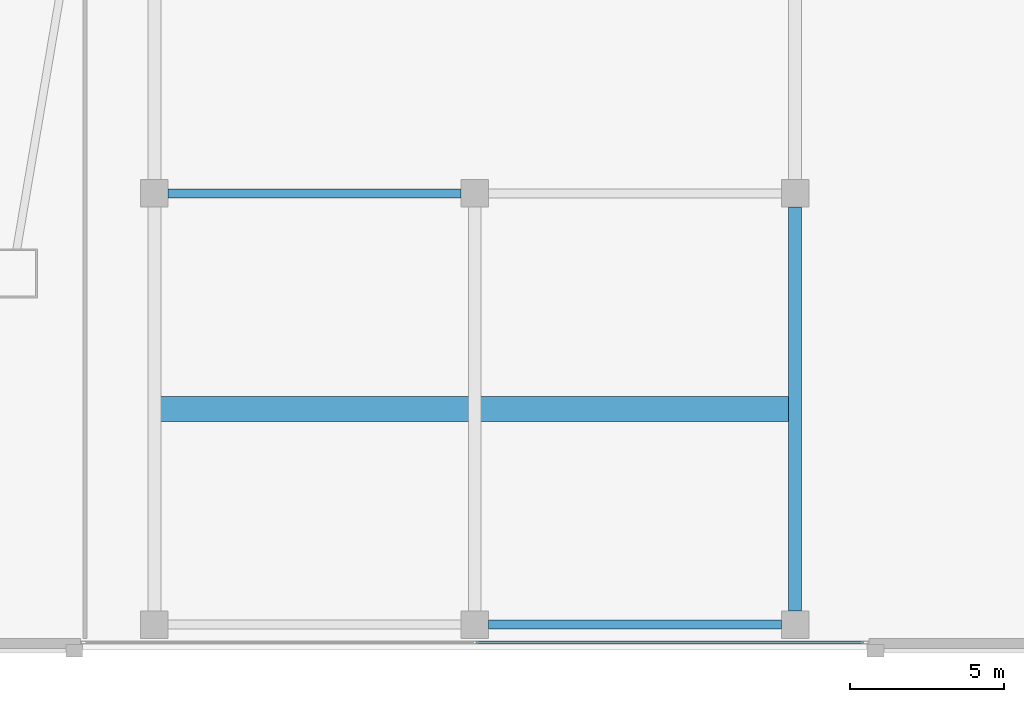
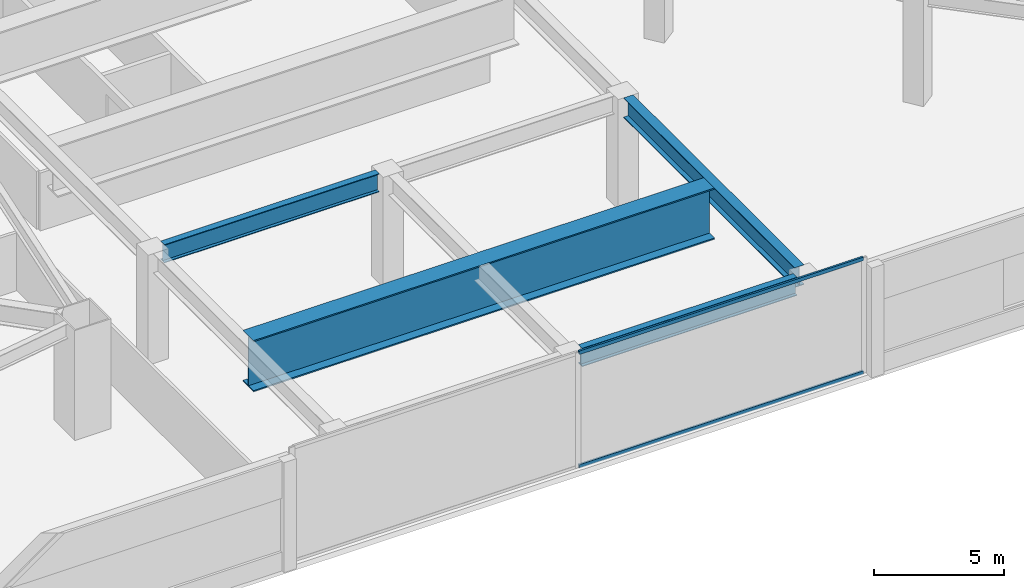
# One storey, part 15 of 48: 4 beams, 2 members, 1 element without a shape of its own.
"""IFC4 building model written with IfcOpenShell, lengths in metres."""

from ifc_helpers import new_model, si_unit, direction, frame, origin, origin_2d, place, context, subcontext, project, spatial, hollow_rectangle, i_section, extrude, material, material_profile, profile_set, type_object, element, aggregate, save


model = new_model("IFC4")

# Units and contexts
model_context = context("Model", 3, precision=1e-05, world=origin(), true_north=direction((0.0, 1.0)))
body_context = subcontext(model_context, "Body", "Model", "MODEL_VIEW")
ifc_project = project(units=[si_unit("LENGTHUNIT", "METRE"), si_unit("AREAUNIT", "SQUARE_METRE"), si_unit("VOLUMEUNIT", "CUBIC_METRE"), si_unit("PLANEANGLEUNIT", "RADIAN"), si_unit("MASSUNIT", "GRAM", prefix="KILO")], contexts=[model_context])

# Site, building, storey
site_placement = place(None, origin())
site = spatial("IfcSite", under=ifc_project, at=site_placement, CompositionType="ELEMENT")
building_placement = place(site_placement, origin())
building = spatial("IfcBuilding", under=site, at=building_placement, Name="Tashvorn Skyway Center", CompositionType="ELEMENT")
storey_placement = place(building_placement, frame((0.0, 0.0, 10.199951171875)))
storey = spatial("IfcBuildingStorey", under=building, at=storey_placement, Name="L02", CompositionType="ELEMENT", Elevation=10.199951171875)

# Beams
ifc_material_1 = material(Name="Steel ASTM A572 Grade 50", Category="steel")
ifc_material_profile_1 = material_profile(ifc_material_1, i_section(OverallWidth=0.800048828125, OverallDepth=2.39990234375, WebThickness=0.035888671875, FlangeThickness=0.06005859375, at=origin_2d()), Name="PG2400x800")
ifc_profile_set_1 = profile_set([ifc_material_profile_1], Name="Steel ASTM A572 Grade 50")
beam_type_1 = type_object("IfcBeamType", Name="BM-BEAM-PG2400x800", PredefinedType="BEAM", material=ifc_profile_set_1)
beam_1_placement = place(storey_placement, frame((66.6015625, 7.800048828125, 3.93994140625), z_axis=(1.0, 0.0, 0.0), x_axis=(0.0, 1.0, 0.0)))
element("IfcBeam", 1, at=beam_1_placement, inside=storey, type_object=beam_type_1, Name="L02 Central Concourse Span Girder 02", PredefinedType="BEAM", context=body_context, shape_type="SweptSolid", body=[
    extrude(i_section(OverallWidth=0.800048828125, OverallDepth=2.39990234375, WebThickness=0.035888671875, FlangeThickness=0.06005859375, at=origin_2d()), origin(), (0.0, 0.0, 1.0), 20.39697265625),
])
ifc_material_2 = material(Name="Steel ASTM A992 Grade 50", Category="steel")
ifc_material_profile_2 = material_profile(ifc_material_2, i_section(OverallWidth=0.2919921875, OverallDepth=0.85888671875, WebThickness=0.01708984375, FlangeThickness=0.031005859375, at=origin_2d()), Name="W33X169")
ifc_profile_set_2 = profile_set([ifc_material_profile_2], Name="Steel ASTM A992 Grade 50")
beam_type_2 = type_object("IfcBeamType", Name="BM-BEAM-W33X169", PredefinedType="BEAM", material=ifc_profile_set_2)
beam_2_placement = place(storey_placement, frame((77.2451171875, 0.800048828125, 4.71044921875), z_axis=(1.0, 0.0, 0.0), x_axis=(0.0, 1.0, 0.0)))
element("IfcBeam", 2, at=beam_2_placement, inside=storey, type_object=beam_type_2, Name="L02 Central Podium Girder B 01", PredefinedType="BEAM", context=body_context, shape_type="SweptSolid", body=[
    extrude(i_section(OverallWidth=0.2919921875, OverallDepth=0.85888671875, WebThickness=0.01708984375, FlangeThickness=0.031005859375, at=origin_2d()), origin(), (0.0, 0.0, 1.0), 9.509765625),
])
beam_3_placement = place(storey_placement, frame((66.844970703125, 14.800048828125, 4.71044921875), z_axis=(1.0, 0.0, 0.0), x_axis=(0.0, 1.0, 0.0)))
element("IfcBeam", 3, at=beam_3_placement, inside=storey, type_object=beam_type_2, Name="L02 Central Podium Girder A 03", PredefinedType="BEAM", context=body_context, shape_type="SweptSolid", body=[
    extrude(i_section(OverallWidth=0.2919921875, OverallDepth=0.85888671875, WebThickness=0.01708984375, FlangeThickness=0.031005859375, at=origin_2d()), origin(), (0.0, 0.0, 1.0), 9.510009765625),
])
ifc_material_3 = material(Name="Steel ASTM A913 Grade 65", Category="steel")
ifc_material_profile_3 = material_profile(ifc_material_3, i_section(OverallWidth=0.4189453125, OverallDepth=0.927001953125, WebThickness=0.019287109375, FlangeThickness=0.031982421875, at=origin_2d()), Name="W36X231")
ifc_profile_set_3 = profile_set([ifc_material_profile_3], Name="Steel ASTM A913 Grade 65")
beam_type_3 = type_object("IfcBeamType", Name="BM-BEAM-W36X231", PredefinedType="BEAM", material=ifc_profile_set_3)
beam_4_placement = place(storey_placement, frame((87.199951171875, 1.2451171875, 4.676513671875), z_axis=(0.0, 1.0, 0.0), x_axis=(-1.0, 0.0, 0.0)))
element("IfcBeam", 4, at=beam_4_placement, inside=storey, type_object=beam_type_3, Name="L02 North-South Podium Girder 05-S", PredefinedType="BEAM", context=body_context, shape_type="SweptSolid", body=[
    extrude(i_section(OverallWidth=0.4189453125, OverallDepth=0.927001953125, WebThickness=0.019287109375, FlangeThickness=0.031982421875, at=origin_2d()), origin(), (0.0, 0.0, 1.0), 13.10986328125),
])

# Curtain wall, members
ifc_material_4 = material(Name="Thermally broken bronze-anodized aluminium 6063-T6", Category="aluminium")
curtain_wall_type = type_object("IfcCurtainWallType", Name="CW-CW-Z1", PredefinedType="NOTDEFINED", material=ifc_material_4)
curtain_wall_placement = place(storey_placement, origin())
curtain_wall = element("IfcCurtainWall", 5, at=curtain_wall_placement, inside=storey, type_object=curtain_wall_type, Name="L02 South Station Arcade Curtain Wall 2", PredefinedType="NOTDEFINED")
ifc_material_profile_4 = material_profile(ifc_material_4, hollow_rectangle(XDim=0.0849609375, YDim=0.1650390625, WallThickness=0.0048828125, at=origin_2d()), Name="ALU-TRAN-85x165")
ifc_profile_set_4 = profile_set([ifc_material_profile_4], Name="Thermally broken bronze-anodized aluminium 6063-T6")
member_type = type_object("IfcMemberType", Name="CWT-CW-Z1", PredefinedType="USERDEFINED", material=ifc_profile_set_4)
member_1_placement = place(storey_placement, frame((89.4150390625, 0.219970703125, 0.04248046875), z_axis=(-1.0, 0.0, 0.0), x_axis=(0.0, -1.0, 0.0)))
member_1 = element("IfcMember", 6, at=member_1_placement, type_object=member_type, Name="CW-Z1 transom 1.1", ObjectType="TRANSOM", PredefinedType="USERDEFINED", context=body_context, shape_type="SweptSolid", body=[
    extrude(hollow_rectangle(XDim=0.0849609375, YDim=0.1650390625, WallThickness=0.0048828125, at=origin_2d()), origin(), (0.0, 0.0, 1.0), 12.572509765625),
])
member_2_placement = place(storey_placement, frame((89.4150390625, 0.219970703125, 5.357666015625), z_axis=(-1.0, 0.0, 0.0), x_axis=(0.0, -1.0, 0.0)))
member_2 = element("IfcMember", 7, at=member_2_placement, type_object=member_type, Name="CW-Z1 transom 1.2", ObjectType="TRANSOM", PredefinedType="USERDEFINED", context=body_context, shape_type="SweptSolid", body=[
    extrude(hollow_rectangle(XDim=0.0849609375, YDim=0.1650390625, WallThickness=0.0048828125, at=origin_2d()), origin(), (0.0, 0.0, 1.0), 12.572509765625),
])
aggregate(curtain_wall, [member_1, member_2])

save(model, "model.ifc")
